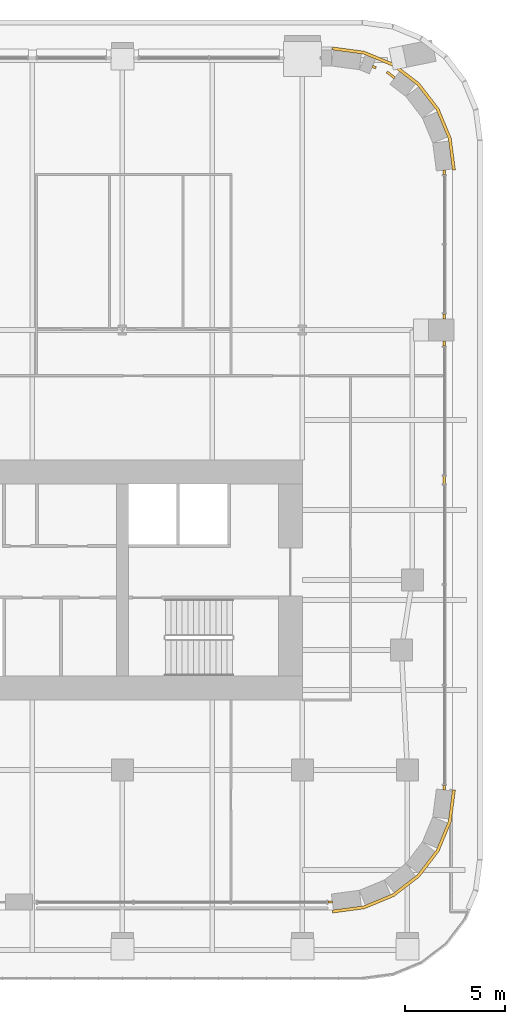
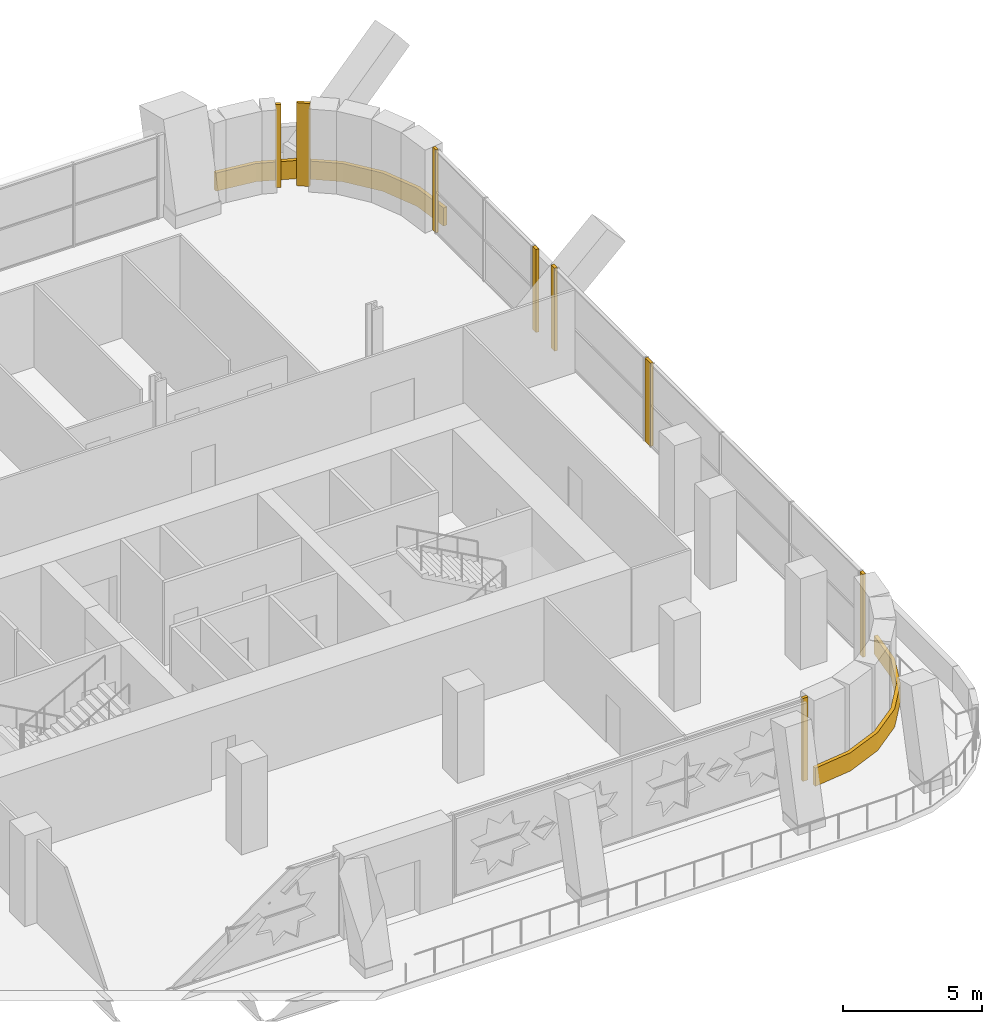
# One storey, part 25 of 26: 10 coverings.
"""IFC4 building model written with IfcOpenShell, lengths in metres."""

from ifc_helpers import new_model, si_unit, direction, frame, origin, origin_2d, place, context, subcontext, project, spatial, polyline, rectangle, outline, extrude, material, layer, layer_set, type_object, element, save


model = new_model("IFC4")

# Units and contexts
model_context = context("Model", 3, precision=1e-05, world=origin(), true_north=direction((0.0, 1.0)))
body_context = subcontext(model_context, "Body", "Model", "MODEL_VIEW")
ifc_project = project(units=[si_unit("LENGTHUNIT", "METRE"), si_unit("AREAUNIT", "SQUARE_METRE"), si_unit("VOLUMEUNIT", "CUBIC_METRE"), si_unit("PLANEANGLEUNIT", "RADIAN"), si_unit("MASSUNIT", "GRAM", prefix="KILO")], contexts=[model_context])

# Site, building, storey
site_placement = place(None, origin())
site = spatial("IfcSite", under=ifc_project, at=site_placement, CompositionType="ELEMENT")
building_placement = place(site_placement, origin())
building = spatial("IfcBuilding", under=site, at=building_placement, Name="Zellij Exchange Tower", CompositionType="ELEMENT")
storey_placement = place(building_placement, frame((0.0, 0.0, 100.5)))
storey = spatial("IfcBuildingStorey", under=building, at=storey_placement, Name="L21", CompositionType="ELEMENT", Elevation=100.5)

# Coverings
ifc_material = material(Name="Limestone cladding", Category="masonry")
ifc_layer_1 = layer(ifc_material, 0.14990234375)
ifc_layer_set_1 = layer_set([ifc_layer_1], Name="Limestone cladding")
covering_type_1 = type_object("IfcCoveringType", Name="ENV-CV1 Stone spandrel band 150", PredefinedType="CLADDING", material=ifc_layer_set_1)
covering_1_placement = place(storey_placement, origin())
element("IfcCovering", 1, at=covering_1_placement, inside=storey, type_object=covering_type_1, Name="Stone spandrel band", PredefinedType="CLADDING", context=body_context, shape_type="SweptSolid", body=[
    extrude(outline(polyline([(28.5, -24.5), (30.052978515625, -24.295654296875), (31.5, -23.6962890625), (32.74267578125, -22.74267578125), (33.6962890625, -21.5), (34.295654296875, -20.052978515625), (34.5, -18.5), (34.64990234375, -18.509765625), (34.441650390625, -20.092041015625), (33.8271484375, -21.57568359375), (32.849609375, -22.849609375), (31.57568359375, -23.8271484375), (30.092041015625, -24.441650390625), (28.509765625, -24.64990234375), (28.5, -24.5)])), origin(), (0.0, 0.0, 1.0), 0.800048828125),
])
covering_2_placement = place(storey_placement, origin())
element("IfcCovering", 2, at=covering_2_placement, inside=storey, type_object=covering_type_1, Name="Stone spandrel band", PredefinedType="CLADDING", context=body_context, shape_type="SweptSolid", body=[
    extrude(outline(polyline([(34.5, 12.5), (34.295654296875, 14.052978515625), (33.6962890625, 15.5), (32.74267578125, 16.74267578125), (31.5, 17.6962890625), (30.052978515625, 18.295654296875), (28.5, 18.5), (28.509765625, 18.64990234375), (30.092041015625, 18.441650390625), (31.57568359375, 17.8271484375), (32.849609375, 16.849609375), (33.8271484375, 15.57568359375), (34.441650390625, 14.092041015625), (34.64990234375, 12.509765625), (34.5, 12.5)])), origin(), (0.0, 0.0, 1.0), 0.800048828125),
])
ifc_layer_2 = layer(ifc_material, 0.1201171875)
ifc_layer_set_2 = layer_set([ifc_layer_2], Name="Limestone cladding")
covering_type_2 = type_object("IfcCoveringType", Name="ENV-CV18 Glazing closer 120", PredefinedType="CLADDING", material=ifc_layer_set_2)
covering_3_placement = place(storey_placement, frame((31.419189453125, 17.25390625, 0.0), z_axis=(0.0, 0.0, 1.0), x_axis=(-0.793316151692, 0.608809891071, 0.0)))
element("IfcCovering", 3, at=covering_3_placement, inside=storey, type_object=covering_type_2, Name="Glazing closer", PredefinedType="CLADDING", context=body_context, shape_type="SweptSolid", body=[
    extrude(rectangle(XDim=0.487548828125, YDim=0.1201171875, at=origin_2d()), origin(), (0.0, 0.0, 1.0), 3.64990234375),
])
covering_4_placement = place(storey_placement, frame((34.10009765625, -3.0, 0.0), z_axis=(0.0, 0.0, 1.0), x_axis=(0.0, 1.0, 0.0)))
element("IfcCovering", 4, at=covering_4_placement, inside=storey, type_object=covering_type_2, Name="Glazing closer", PredefinedType="CLADDING", context=body_context, shape_type="SweptSolid", body=[
    extrude(rectangle(XDim=0.39990234375, YDim=0.1201171875, at=origin_2d()), origin(), (0.0, 0.0, 1.0), 3.64990234375),
])
for number, where, z_axis, x_axis, name in (
    (5, (34.10009765625, 3.824951171875, 0.0), (0.0, 0.0, 1.0), (0.0, 1.0, 0.0), "Glazing closer"),
    (6, (34.10009765625, 5.175048828125, 0.0), (0.0, 0.0, 1.0), (0.0, -1.0, 0.0), "Glazing closer"),
):
    element("IfcCovering", number, at=place(storey_placement, frame(where, z_axis=z_axis, x_axis=x_axis)), inside=storey, type_object=covering_type_2, Name=name, PredefinedType="CLADDING", context=body_context, shape_type="SweptSolid", body=[
        extrude(rectangle(XDim=0.25, YDim=0.1201171875, at=origin_2d()), origin(), (0.0, 0.0, 1.0), 3.64990234375),
    ])
for number, where, z_axis, x_axis, name in (
    (7, (28.383056640625, -24.10009765625, 0.0), (0.0, 0.0, 1.0), (1.0, 0.0, 0.0), "Glazing closer"),
    (8, (34.10009765625, -18.383056640625, 0.0), (0.0, 0.0, 1.0), (0.0, -1.0, 0.0), "Glazing closer"),
    (9, (34.10009765625, 12.383056640625, 0.0), (0.0, 0.0, 1.0), (0.0, 1.0, 0.0), "Glazing closer"),
):
    element("IfcCovering", number, at=place(storey_placement, frame(where, z_axis=z_axis, x_axis=x_axis)), inside=storey, type_object=covering_type_2, Name=name, PredefinedType="CLADDING", context=body_context, shape_type="SweptSolid", body=[
        extrude(rectangle(XDim=0.218505859375, YDim=0.1201171875, at=origin_2d()), origin(), (0.0, 0.0, 1.0), 3.64990234375),
    ])
covering_5_placement = place(storey_placement, frame((30.5888671875, 17.640625, 0.0), z_axis=(0.0, 0.0, 1.0), x_axis=(0.923881536224, -0.382678594938, 0.0)))
element("IfcCovering", 10, at=covering_5_placement, inside=storey, type_object=covering_type_2, Name="Glazing closer", PredefinedType="CLADDING", context=body_context, shape_type="SweptSolid", body=[
    extrude(rectangle(XDim=0.19091796875, YDim=0.1201171875, at=origin_2d()), origin(), (0.0, 0.0, 1.0), 3.64990234375),
])

save(model, "model.ifc")
